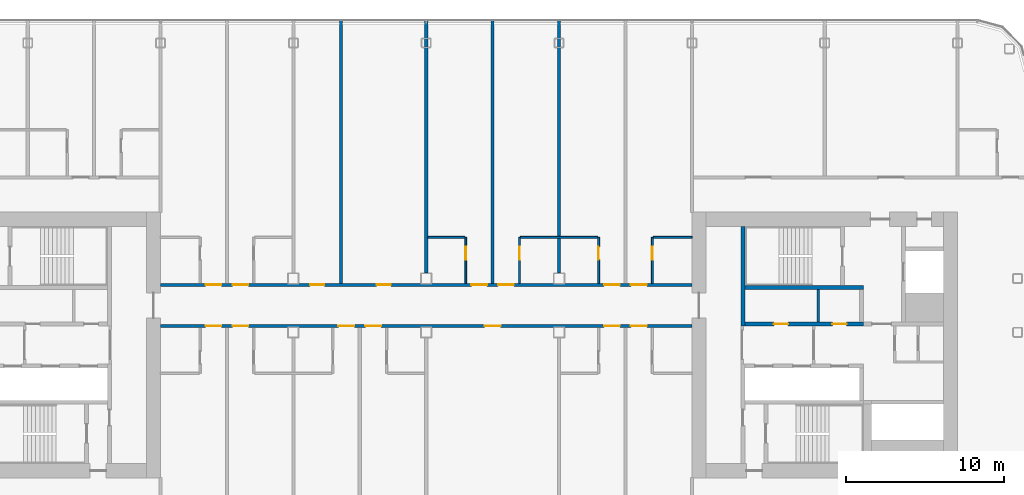
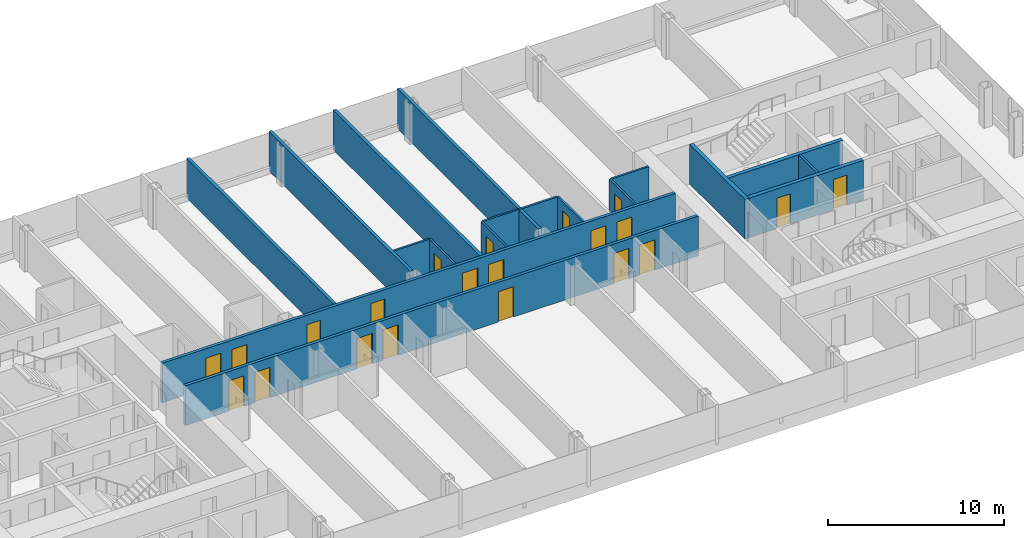
# One storey, part 16 of 26: 21 doors, 17 walls, 21 openings.
"""IFC4 building model written with IfcOpenShell, lengths in metres."""

from ifc_helpers import new_model, si_unit, direction, frame, frame_2d, origin, place, context, subcontext, project, spatial, rectangle, extrude, material, layer, layer_set, type_object, element, fill, save


model = new_model("IFC4")

# Units and contexts
model_context = context("Model", 3, precision=1e-05, world=origin(), true_north=direction((0.0, 1.0)))
body_context = subcontext(model_context, "Body", "Model", "MODEL_VIEW")
ifc_project = project(units=[si_unit("LENGTHUNIT", "METRE"), si_unit("AREAUNIT", "SQUARE_METRE"), si_unit("VOLUMEUNIT", "CUBIC_METRE"), si_unit("PLANEANGLEUNIT", "RADIAN"), si_unit("MASSUNIT", "GRAM", prefix="KILO")], contexts=[model_context])

# Site, building, storey
site_placement = place(None, origin())
site = spatial("IfcSite", under=ifc_project, at=site_placement, CompositionType="ELEMENT")
building_placement = place(site_placement, origin())
building = spatial("IfcBuilding", under=site, at=building_placement, Name="Hakoniwa Tower and Hamabe Station Hall", CompositionType="ELEMENT")
storey_placement = place(building_placement, frame((0.0, 0.0, 221.800048828125)))
storey = spatial("IfcBuildingStorey", under=building, at=storey_placement, Name="L63", CompositionType="ELEMENT", Elevation=221.800048828125)

# Walls
ifc_material_1 = material(Name="Gypsum board partition", Category="gypsum")
ifc_layer_1 = layer(ifc_material_1, 0.125)
ifc_layer_set_1 = layer_set([ifc_layer_1], Name="Bathroom Partition 125")
wall_type_1 = type_object("IfcWallType", Name="Bathroom Partition 125", PredefinedType="PARTITIONING", material=ifc_layer_set_1)
wall_1_placement = place(storey_placement, frame((0.10009765625, 6.800048828125, 0.0), z_axis=(0.0, 0.0, 1.0), x_axis=(1.0, 0.0, 0.0)))
element("IfcWall", 1, at=wall_1_placement, inside=storey, type_object=wall_type_1, Name="GW-L63-012", PredefinedType="PARTITIONING", context=body_context, shape_type="SweptSolid", body=[
    extrude(rectangle(XDim=2.33740234375, YDim=0.125, at=frame_2d((1.168701171875, 0.0))), origin(), (0.0, 0.0, 1.0), 2.75),
])
wall_2_placement = place(storey_placement, frame((5.96240234375, 6.800048828125, 0.0), z_axis=(0.0, 0.0, 1.0), x_axis=(1.0, 0.0, 0.0)))
element("IfcWall", 2, at=wall_2_placement, inside=storey, type_object=wall_type_1, Name="GW-L63-013", PredefinedType="PARTITIONING", context=body_context, shape_type="SweptSolid", body=[
    extrude(rectangle(XDim=4.875, YDim=0.125, at=frame_2d((2.4375, 0.0))), origin(), (0.0, 0.0, 1.0), 2.75),
])
wall_3_placement = place(storey_placement, frame((14.362548828125, 6.800048828125, 0.0), z_axis=(0.0, 0.0, 1.0), x_axis=(1.0, 0.0, 0.0)))
element("IfcWall", 3, at=wall_3_placement, inside=storey, type_object=wall_type_1, Name="GW-L63-014", PredefinedType="PARTITIONING", context=body_context, shape_type="SweptSolid", body=[
    extrude(rectangle(XDim=2.447509765625, YDim=0.125, at=frame_2d((1.2236328125, 0.0))), origin(), (0.0, 0.0, 1.0), 2.75),
])

# Wall, opening, door
wall_4_placement = place(storey_placement, frame((2.5, 3.89990234375, 0.0), z_axis=(0.0, 0.0, 1.0), x_axis=(0.0, 1.0, 0.0)))
wall_4 = element("IfcWall", 4, at=wall_4_placement, inside=storey, type_object=wall_type_1, Name="GW-L63-049", PredefinedType="PARTITIONING", context=body_context, shape_type="SweptSolid", body=[
    extrude(rectangle(XDim=2.900146484375, YDim=0.125, at=frame_2d((1.4501953125, 0.0))), origin(), (0.0, 0.0, 1.0), 2.75),
])
opening_1_placement = place(wall_4_placement, frame((1.5, 0.0, 0.0)))
opening_1 = element("IfcOpeningElement", 5, at=opening_1_placement, cuts=wall_4, Name="Opening GD-G4B2-44", PredefinedType="OPENING", context=body_context, shape_type="SweptSolid", body=[
    extrude(rectangle(XDim=0.800048828125, YDim=2.10009765625, at=frame_2d((0.39990234375, 1.050048828125))), frame((0.0, 0.072509765625, 0.0), z_axis=(0.0, -1.0, 0.0), x_axis=(1.0, 0.0, 0.0)), (0.0, 0.0, 1.0), 0.14501953125),
])
ifc_material_2 = material(Name="Timber door leaf", Category="wood")
door_type_1 = type_object("IfcDoorType", Name="Bathroom Door 800", OperationType="SINGLE_SWING_LEFT", PredefinedType="DOOR", material=ifc_material_2)
door_1_placement = place(opening_1_placement, origin())
door_1 = element("IfcDoor", 6, at=door_1_placement, inside=storey, type_object=door_type_1, Name="Door GD-G4B2-44", OperationType="SINGLE_SWING_LEFT", OverallHeight=2.10009765625, OverallWidth=0.800048828125, PredefinedType="DOOR", context=body_context, shape_type="SweptSolid", body=[
    extrude(rectangle(XDim=0.800048828125, YDim=2.10009765625, at=frame_2d((0.39990234375, 1.050048828125))), frame((0.0, 0.02490234375, 0.0), z_axis=(0.0, -1.0, 0.0), x_axis=(1.0, 0.0, 0.0)), (0.0, 0.0, 1.0), 0.050048828125),
])
fill(opening_1, door_1)

wall_5_placement = place(storey_placement, frame((5.89990234375, 3.89990234375, 0.0), z_axis=(0.0, 0.0, 1.0), x_axis=(0.0, 1.0, 0.0)))
wall_5 = element("IfcWall", 7, at=wall_5_placement, inside=storey, type_object=wall_type_1, Name="GW-L63-051", PredefinedType="PARTITIONING", context=body_context, shape_type="SweptSolid", body=[
    extrude(rectangle(XDim=2.900146484375, YDim=0.125, at=frame_2d((1.4501953125, 0.0))), origin(), (0.0, 0.0, 1.0), 2.75),
])
opening_2_placement = place(wall_5_placement, frame((1.5, 0.0, 0.0)))
opening_2 = element("IfcOpeningElement", 8, at=opening_2_placement, cuts=wall_5, Name="Opening GD-G4B2-45", PredefinedType="OPENING", context=body_context, shape_type="SweptSolid", body=[
    extrude(rectangle(XDim=0.800048828125, YDim=2.10009765625, at=frame_2d((0.39990234375, 1.050048828125))), frame((0.0, 0.072509765625, 0.0), z_axis=(0.0, -1.0, 0.0), x_axis=(1.0, 0.0, 0.0)), (0.0, 0.0, 1.0), 0.14501953125),
])
door_2_placement = place(opening_2_placement, origin())
door_2 = element("IfcDoor", 9, at=door_2_placement, inside=storey, type_object=door_type_1, Name="Door GD-G4B2-45", OperationType="SINGLE_SWING_RIGHT", OverallHeight=2.10009765625, OverallWidth=0.800048828125, PredefinedType="DOOR", context=body_context, shape_type="SweptSolid", body=[
    extrude(rectangle(XDim=0.800048828125, YDim=2.10009765625, at=frame_2d((0.39990234375, 1.050048828125))), frame((0.0, 0.02490234375, 0.0), z_axis=(0.0, -1.0, 0.0), x_axis=(1.0, 0.0, 0.0)), (0.0, 0.0, 1.0), 0.050048828125),
])
fill(opening_2, door_2)

wall_6_placement = place(storey_placement, frame((10.89990234375, 3.89990234375, 0.0), z_axis=(0.0, 0.0, 1.0), x_axis=(0.0, 1.0, 0.0)))
wall_6 = element("IfcWall", 10, at=wall_6_placement, inside=storey, type_object=wall_type_1, Name="GW-L63-055", PredefinedType="PARTITIONING", context=body_context, shape_type="SweptSolid", body=[
    extrude(rectangle(XDim=2.900146484375, YDim=0.125, at=frame_2d((1.4501953125, 0.0))), origin(), (0.0, 0.0, 1.0), 2.75),
])
opening_3_placement = place(wall_6_placement, frame((1.5, 0.0, 0.0)))
opening_3 = element("IfcOpeningElement", 11, at=opening_3_placement, cuts=wall_6, Name="Opening GD-G4B2-47", PredefinedType="OPENING", context=body_context, shape_type="SweptSolid", body=[
    extrude(rectangle(XDim=0.800048828125, YDim=2.10009765625, at=frame_2d((0.39990234375, 1.050048828125))), frame((0.0, 0.072509765625, 0.0), z_axis=(0.0, -1.0, 0.0), x_axis=(1.0, 0.0, 0.0)), (0.0, 0.0, 1.0), 0.14501953125),
])
door_3_placement = place(opening_3_placement, origin())
door_3 = element("IfcDoor", 12, at=door_3_placement, inside=storey, type_object=door_type_1, Name="Door GD-G4B2-47", OperationType="SINGLE_SWING_LEFT", OverallHeight=2.10009765625, OverallWidth=0.800048828125, PredefinedType="DOOR", context=body_context, shape_type="SweptSolid", body=[
    extrude(rectangle(XDim=0.800048828125, YDim=2.10009765625, at=frame_2d((0.39990234375, 1.050048828125))), frame((0.0, 0.02490234375, 0.0), z_axis=(0.0, -1.0, 0.0), x_axis=(1.0, 0.0, 0.0)), (0.0, 0.0, 1.0), 0.050048828125),
])
fill(opening_3, door_3)

wall_7_placement = place(storey_placement, frame((14.300048828125, 3.89990234375, 0.0), z_axis=(0.0, 0.0, 1.0), x_axis=(0.0, 1.0, 0.0)))
wall_7 = element("IfcWall", 13, at=wall_7_placement, inside=storey, type_object=wall_type_1, Name="GW-L63-059", PredefinedType="PARTITIONING", context=body_context, shape_type="SweptSolid", body=[
    extrude(rectangle(XDim=2.900146484375, YDim=0.125, at=frame_2d((1.4501953125, 0.0))), origin(), (0.0, 0.0, 1.0), 2.75),
])
opening_4_placement = place(wall_7_placement, frame((1.5, 0.0, 0.0)))
opening_4 = element("IfcOpeningElement", 14, at=opening_4_placement, cuts=wall_7, Name="Opening GD-G4B2-49", PredefinedType="OPENING", context=body_context, shape_type="SweptSolid", body=[
    extrude(rectangle(XDim=0.800048828125, YDim=2.10009765625, at=frame_2d((0.39990234375, 1.050048828125))), frame((0.0, 0.072509765625, 0.0), z_axis=(0.0, -1.0, 0.0), x_axis=(1.0, 0.0, 0.0)), (0.0, 0.0, 1.0), 0.14501953125),
])
door_4_placement = place(opening_4_placement, origin())
door_4 = element("IfcDoor", 15, at=door_4_placement, inside=storey, type_object=door_type_1, Name="Door GD-G4B2-49", OperationType="SINGLE_SWING_RIGHT", OverallHeight=2.10009765625, OverallWidth=0.800048828125, PredefinedType="DOOR", context=body_context, shape_type="SweptSolid", body=[
    extrude(rectangle(XDim=0.800048828125, YDim=2.10009765625, at=frame_2d((0.39990234375, 1.050048828125))), frame((0.0, 0.02490234375, 0.0), z_axis=(0.0, -1.0, 0.0), x_axis=(1.0, 0.0, 0.0)), (0.0, 0.0, 1.0), 0.050048828125),
])
fill(opening_4, door_4)

# Walls
ifc_material_3 = material(Name="Gypsum board partition")
ifc_layer_2 = layer(ifc_material_3, 0.14990234375)
ifc_layer_set_2 = layer_set([ifc_layer_2], Name="CORE PARTITION 150 EI 60")
wall_type_2 = type_object("IfcWallType", Name="CORE PARTITION 150 EI 60", PredefinedType="PARTITIONING", material=ifc_layer_set_2)
wall_8_placement = place(storey_placement, frame((24.800048828125, 1.449951171875, 0.0), z_axis=(0.0, 0.0, 1.0), x_axis=(0.0, 1.0, 0.0)))
element("IfcWall", 16, at=wall_8_placement, inside=storey, type_object=wall_type_2, Name="Core partition PFLR0 east", PredefinedType="PARTITIONING", context=body_context, shape_type="SweptSolid", body=[
    extrude(rectangle(XDim=2.050048828125, YDim=0.14990234375, at=frame_2d((1.02490234375, 0.0))), origin(), (0.0, 0.0, 1.0), 2.75),
])
ifc_material_4 = material(Name="Concrete C60", Category="concrete")
ifc_layer_3 = layer(ifc_material_4, 0.25)
ifc_layer_set_3 = layer_set([ifc_layer_3], Name="CORE WEB WALL 250 C60")
wall_type_3 = type_object("IfcWallType", Name="CORE WEB WALL 250 C60", PredefinedType="SHEAR", material=ifc_layer_set_3)
wall_9_placement = place(storey_placement, frame((20.02490234375, 1.199951171875, 0.0), z_axis=(0.0, 0.0, 1.0), x_axis=(0.0, 1.0, 0.0)))
element("IfcWall", 17, at=wall_9_placement, inside=storey, type_object=wall_type_3, Name="Core wall W1N east", PredefinedType="SHEAR", context=body_context, shape_type="SweptSolid", body=[
    extrude(rectangle(XDim=6.300048828125, YDim=0.25, at=frame_2d((3.14990234375, 0.0))), origin(), (0.0, 0.0, 1.0), 2.75),
])

# Wall, openings, doors
wall_10_placement = place(storey_placement, frame((20.14990234375, 1.324951171875, 0.0), z_axis=(0.0, 0.0, 1.0), x_axis=(1.0, 0.0, 0.0)))
wall_10 = element("IfcWall", 18, at=wall_10_placement, inside=storey, type_object=wall_type_3, Name="Core wall NF east", PredefinedType="SHEAR", context=body_context, shape_type="SweptSolid", body=[
    extrude(rectangle(XDim=7.5, YDim=0.25, at=frame_2d((3.75, 0.0))), origin(), (0.0, 0.0, 1.0), 2.75),
])
opening_5_placement = place(wall_10_placement, frame((1.83740234375, 0.0, 0.0)))
opening_5 = element("IfcOpeningElement", 19, at=opening_5_placement, cuts=wall_10, Name="Opening CD-E-FRLR0-9", PredefinedType="OPENING", context=body_context, shape_type="SweptSolid", body=[
    extrude(rectangle(XDim=0.89990234375, YDim=2.10009765625, at=frame_2d((0.449951171875, 1.050048828125))), frame((0.0, 0.135009765625, 0.0), z_axis=(0.0, -1.0, 0.0), x_axis=(1.0, 0.0, 0.0)), (0.0, 0.0, 1.0), 0.27001953125),
])
opening_6_placement = place(wall_10_placement, frame((5.53759765625, 0.0, 0.0)))
opening_6 = element("IfcOpeningElement", 20, at=opening_6_placement, cuts=wall_10, Name="Opening CD-E-FRLR1-9", PredefinedType="OPENING", context=body_context, shape_type="SweptSolid", body=[
    extrude(rectangle(XDim=0.89990234375, YDim=2.10009765625, at=frame_2d((0.449951171875, 1.050048828125))), frame((0.0, 0.135009765625, 0.0), z_axis=(0.0, -1.0, 0.0), x_axis=(1.0, 0.0, 0.0)), (0.0, 0.0, 1.0), 0.27001953125),
])
ifc_material_5 = material(Name="Steel fire door", Category="steel")
door_type_2 = type_object("IfcDoorType", Name="CORE DOOR 900 FD30", OperationType="NOTDEFINED", PredefinedType="DOOR", material=ifc_material_5)
door_5_placement = place(opening_5_placement, origin())
door_5 = element("IfcDoor", 21, at=door_5_placement, inside=storey, type_object=door_type_2, Name="Store room door", OperationType="SINGLE_SWING_LEFT", OverallHeight=2.10009765625, OverallWidth=0.89990234375, PredefinedType="DOOR", context=body_context, shape_type="SweptSolid", body=[
    extrude(rectangle(XDim=0.89990234375, YDim=2.10009765625, at=frame_2d((0.449951171875, 1.050048828125))), frame((0.0, 0.02490234375, 0.0), z_axis=(0.0, -1.0, 0.0), x_axis=(1.0, 0.0, 0.0)), (0.0, 0.0, 1.0), 0.050048828125),
])
fill(opening_5, door_5)
door_6_placement = place(opening_6_placement, origin())
door_6 = element("IfcDoor", 22, at=door_6_placement, inside=storey, type_object=door_type_2, Name="Store room door", OperationType="SINGLE_SWING_RIGHT", OverallHeight=2.10009765625, OverallWidth=0.89990234375, PredefinedType="DOOR", context=body_context, shape_type="SweptSolid", body=[
    extrude(rectangle(XDim=0.89990234375, YDim=2.10009765625, at=frame_2d((0.449951171875, 1.050048828125))), frame((0.0, 0.02490234375, 0.0), z_axis=(0.0, -1.0, 0.0), x_axis=(1.0, 0.0, 0.0)), (0.0, 0.0, 1.0), 0.050048828125),
])
fill(opening_6, door_6)

# Wall
wall_11_placement = place(storey_placement, frame((20.14990234375, 3.625, 0.0), z_axis=(0.0, 0.0, 1.0), x_axis=(1.0, 0.0, 0.0)))
element("IfcWall", 23, at=wall_11_placement, inside=storey, type_object=wall_type_3, Name="Core wall NR east", PredefinedType="SHEAR", context=body_context, shape_type="SweptSolid", body=[
    extrude(rectangle(XDim=7.5, YDim=0.25, at=frame_2d((3.75, 0.0))), origin(), (0.0, 0.0, 1.0), 2.75),
])

# Wall, openings, doors
ifc_material_6 = material(Name="Fire-rated gypsum board partition", Category="gypsum")
ifc_layer_4 = layer(ifc_material_6, 0.199951171875)
ifc_layer_set_4 = layer_set([ifc_layer_4], Name="Corridor Wall 200")
wall_type_4 = type_object("IfcWallType", Name="Corridor Wall 200", PredefinedType="PARTITIONING", material=ifc_layer_set_4)
wall_12_placement = place(storey_placement, frame((-16.800048828125, 1.199951171875, 0.0), z_axis=(0.0, 0.0, 1.0), x_axis=(1.0, 0.0, 0.0)))
wall_12 = element("IfcWall", 24, at=wall_12_placement, inside=storey, type_object=wall_type_4, Name="GW-L63-008", PredefinedType="PARTITIONING", context=body_context, shape_type="SweptSolid", body=[
    extrude(rectangle(XDim=33.60009765625, YDim=0.199951171875, at=frame_2d((16.800048828125, 0.0))), origin(), (0.0, 0.0, 1.0), 2.75),
])
opening_7_placement = place(wall_12_placement, frame((2.85009765625, 0.0, 0.0)))
opening_7 = element("IfcOpeningElement", 25, at=opening_7_placement, cuts=wall_12, Name="Opening GD-G4B2-11", PredefinedType="OPENING", context=body_context, shape_type="SweptSolid", body=[
    extrude(rectangle(XDim=1.0, YDim=2.10009765625, at=frame_2d((0.5, 1.050048828125))), frame((0.0, 0.10986328125, 0.0), z_axis=(0.0, -1.0, 0.0), x_axis=(1.0, 0.0, 0.0)), (0.0, 0.0, 1.0), 0.219970703125),
])
opening_8_placement = place(wall_12_placement, frame((4.550048828125, 0.0, 0.0)))
opening_8 = element("IfcOpeningElement", 26, at=opening_8_placement, cuts=wall_12, Name="Opening GD-G4B2-12", PredefinedType="OPENING", context=body_context, shape_type="SweptSolid", body=[
    extrude(rectangle(XDim=1.0, YDim=2.10009765625, at=frame_2d((0.5, 1.050048828125))), frame((0.0, 0.10986328125, 0.0), z_axis=(0.0, -1.0, 0.0), x_axis=(1.0, 0.0, 0.0)), (0.0, 0.0, 1.0), 0.219970703125),
])
opening_9_placement = place(wall_12_placement, frame((11.25, 0.0, 0.0)))
opening_9 = element("IfcOpeningElement", 27, at=opening_9_placement, cuts=wall_12, Name="Opening GD-G4B2-13", PredefinedType="OPENING", context=body_context, shape_type="SweptSolid", body=[
    extrude(rectangle(XDim=1.0, YDim=2.10009765625, at=frame_2d((0.5, 1.050048828125))), frame((0.0, 0.10986328125, 0.0), z_axis=(0.0, -1.0, 0.0), x_axis=(1.0, 0.0, 0.0)), (0.0, 0.0, 1.0), 0.219970703125),
])
opening_10_placement = place(wall_12_placement, frame((12.949951171875, 0.0, 0.0)))
opening_10 = element("IfcOpeningElement", 28, at=opening_10_placement, cuts=wall_12, Name="Opening GD-G4B2-14", PredefinedType="OPENING", context=body_context, shape_type="SweptSolid", body=[
    extrude(rectangle(XDim=1.0, YDim=2.10009765625, at=frame_2d((0.5, 1.050048828125))), frame((0.0, 0.10986328125, 0.0), z_axis=(0.0, -1.0, 0.0), x_axis=(1.0, 0.0, 0.0)), (0.0, 0.0, 1.0), 0.219970703125),
])
opening_11_placement = place(wall_12_placement, frame((20.5, 0.0, 0.0)))
opening_11 = element("IfcOpeningElement", 29, at=opening_11_placement, cuts=wall_12, Name="Opening GD-G4B2-15", PredefinedType="OPENING", context=body_context, shape_type="SweptSolid", body=[
    extrude(rectangle(XDim=1.0, YDim=2.10009765625, at=frame_2d((0.5, 1.050048828125))), frame((0.0, 0.10986328125, 0.0), z_axis=(0.0, -1.0, 0.0), x_axis=(1.0, 0.0, 0.0)), (0.0, 0.0, 1.0), 0.219970703125),
])
opening_12_placement = place(wall_12_placement, frame((28.050048828125, 0.0, 0.0)))
opening_12 = element("IfcOpeningElement", 30, at=opening_12_placement, cuts=wall_12, Name="Opening GD-G4B2-16", PredefinedType="OPENING", context=body_context, shape_type="SweptSolid", body=[
    extrude(rectangle(XDim=1.0, YDim=2.10009765625, at=frame_2d((0.5, 1.050048828125))), frame((0.0, 0.10986328125, 0.0), z_axis=(0.0, -1.0, 0.0), x_axis=(1.0, 0.0, 0.0)), (0.0, 0.0, 1.0), 0.219970703125),
])
opening_13_placement = place(wall_12_placement, frame((29.75, 0.0, 0.0)))
opening_13 = element("IfcOpeningElement", 31, at=opening_13_placement, cuts=wall_12, Name="Opening GD-G4B2-17", PredefinedType="OPENING", context=body_context, shape_type="SweptSolid", body=[
    extrude(rectangle(XDim=1.0, YDim=2.10009765625, at=frame_2d((0.5, 1.050048828125))), frame((0.0, 0.10986328125, 0.0), z_axis=(0.0, -1.0, 0.0), x_axis=(1.0, 0.0, 0.0)), (0.0, 0.0, 1.0), 0.219970703125),
])
ifc_material_7 = material(Name="Timber door leaf", Category="wood")
door_type_3 = type_object("IfcDoorType", Name="Guest Entrance Door 1000", OperationType="SINGLE_SWING_LEFT", PredefinedType="DOOR", material=ifc_material_7)
door_7_placement = place(opening_7_placement, origin())
door_7 = element("IfcDoor", 32, at=door_7_placement, inside=storey, type_object=door_type_3, Name="Door GD-G4B2-11", OperationType="SINGLE_SWING_LEFT", OverallHeight=2.10009765625, OverallWidth=1.0, PredefinedType="DOOR", context=body_context, shape_type="SweptSolid", body=[
    extrude(rectangle(XDim=1.0, YDim=2.10009765625, at=frame_2d((0.5, 1.050048828125))), frame((0.0, 0.02490234375, 0.0), z_axis=(0.0, -1.0, 0.0), x_axis=(1.0, 0.0, 0.0)), (0.0, 0.0, 1.0), 0.050048828125),
])
fill(opening_7, door_7)
door_8_placement = place(opening_8_placement, origin())
door_8 = element("IfcDoor", 33, at=door_8_placement, inside=storey, type_object=door_type_3, Name="Door GD-G4B2-12", OperationType="SINGLE_SWING_RIGHT", OverallHeight=2.10009765625, OverallWidth=1.0, PredefinedType="DOOR", context=body_context, shape_type="SweptSolid", body=[
    extrude(rectangle(XDim=1.0, YDim=2.10009765625, at=frame_2d((0.5, 1.050048828125))), frame((0.0, 0.02490234375, 0.0), z_axis=(0.0, -1.0, 0.0), x_axis=(1.0, 0.0, 0.0)), (0.0, 0.0, 1.0), 0.050048828125),
])
fill(opening_8, door_8)
door_9_placement = place(opening_9_placement, origin())
door_9 = element("IfcDoor", 34, at=door_9_placement, inside=storey, type_object=door_type_3, Name="Door GD-G4B2-13", OperationType="SINGLE_SWING_LEFT", OverallHeight=2.10009765625, OverallWidth=1.0, PredefinedType="DOOR", context=body_context, shape_type="SweptSolid", body=[
    extrude(rectangle(XDim=1.0, YDim=2.10009765625, at=frame_2d((0.5, 1.050048828125))), frame((0.0, 0.02490234375, 0.0), z_axis=(0.0, -1.0, 0.0), x_axis=(1.0, 0.0, 0.0)), (0.0, 0.0, 1.0), 0.050048828125),
])
fill(opening_9, door_9)
door_10_placement = place(opening_10_placement, origin())
door_10 = element("IfcDoor", 35, at=door_10_placement, inside=storey, type_object=door_type_3, Name="Door GD-G4B2-14", OperationType="SINGLE_SWING_RIGHT", OverallHeight=2.10009765625, OverallWidth=1.0, PredefinedType="DOOR", context=body_context, shape_type="SweptSolid", body=[
    extrude(rectangle(XDim=1.0, YDim=2.10009765625, at=frame_2d((0.5, 1.050048828125))), frame((0.0, 0.02490234375, 0.0), z_axis=(0.0, -1.0, 0.0), x_axis=(1.0, 0.0, 0.0)), (0.0, 0.0, 1.0), 0.050048828125),
])
fill(opening_10, door_10)
door_11_placement = place(opening_11_placement, origin())
door_11 = element("IfcDoor", 36, at=door_11_placement, inside=storey, type_object=door_type_3, Name="Door GD-G4B2-15", OperationType="SINGLE_SWING_LEFT", OverallHeight=2.10009765625, OverallWidth=1.0, PredefinedType="DOOR", context=body_context, shape_type="SweptSolid", body=[
    extrude(rectangle(XDim=1.0, YDim=2.10009765625, at=frame_2d((0.5, 1.050048828125))), frame((0.0, 0.02490234375, 0.0), z_axis=(0.0, -1.0, 0.0), x_axis=(1.0, 0.0, 0.0)), (0.0, 0.0, 1.0), 0.050048828125),
])
fill(opening_11, door_11)
door_12_placement = place(opening_12_placement, origin())
door_12 = element("IfcDoor", 37, at=door_12_placement, inside=storey, type_object=door_type_3, Name="Door GD-G4B2-16", OperationType="SINGLE_SWING_RIGHT", OverallHeight=2.10009765625, OverallWidth=1.0, PredefinedType="DOOR", context=body_context, shape_type="SweptSolid", body=[
    extrude(rectangle(XDim=1.0, YDim=2.10009765625, at=frame_2d((0.5, 1.050048828125))), frame((0.0, 0.02490234375, 0.0), z_axis=(0.0, -1.0, 0.0), x_axis=(1.0, 0.0, 0.0)), (0.0, 0.0, 1.0), 0.050048828125),
])
fill(opening_12, door_12)
door_13_placement = place(opening_13_placement, origin())
door_13 = element("IfcDoor", 38, at=door_13_placement, inside=storey, type_object=door_type_3, Name="Door GD-G4B2-17", OperationType="SINGLE_SWING_LEFT", OverallHeight=2.10009765625, OverallWidth=1.0, PredefinedType="DOOR", context=body_context, shape_type="SweptSolid", body=[
    extrude(rectangle(XDim=1.0, YDim=2.10009765625, at=frame_2d((0.5, 1.050048828125))), frame((0.0, 0.02490234375, 0.0), z_axis=(0.0, -1.0, 0.0), x_axis=(1.0, 0.0, 0.0)), (0.0, 0.0, 1.0), 0.050048828125),
])
fill(opening_13, door_13)

wall_13_placement = place(storey_placement, frame((-16.800048828125, 3.800048828125, 0.0), z_axis=(0.0, 0.0, 1.0), x_axis=(1.0, 0.0, 0.0)))
wall_13 = element("IfcWall", 39, at=wall_13_placement, inside=storey, type_object=wall_type_4, Name="GW-L63-009", PredefinedType="PARTITIONING", context=body_context, shape_type="SweptSolid", body=[
    extrude(rectangle(XDim=33.60009765625, YDim=0.199951171875, at=frame_2d((16.800048828125, 0.0))), origin(), (0.0, 0.0, 1.0), 2.75),
])
opening_14_placement = place(wall_13_placement, frame((2.85009765625, 0.0, 0.0)))
opening_14 = element("IfcOpeningElement", 40, at=opening_14_placement, cuts=wall_13, Name="Opening GD-G4B2-18", PredefinedType="OPENING", context=body_context, shape_type="SweptSolid", body=[
    extrude(rectangle(XDim=1.0, YDim=2.10009765625, at=frame_2d((0.5, 1.050048828125))), frame((0.0, 0.10986328125, 0.0), z_axis=(0.0, -1.0, 0.0), x_axis=(1.0, 0.0, 0.0)), (0.0, 0.0, 1.0), 0.219970703125),
])
opening_15_placement = place(wall_13_placement, frame((4.550048828125, 0.0, 0.0)))
opening_15 = element("IfcOpeningElement", 41, at=opening_15_placement, cuts=wall_13, Name="Opening GD-G4B2-19", PredefinedType="OPENING", context=body_context, shape_type="SweptSolid", body=[
    extrude(rectangle(XDim=1.0, YDim=2.10009765625, at=frame_2d((0.5, 1.050048828125))), frame((0.0, 0.10986328125, 0.0), z_axis=(0.0, -1.0, 0.0), x_axis=(1.0, 0.0, 0.0)), (0.0, 0.0, 1.0), 0.219970703125),
])
opening_16_placement = place(wall_13_placement, frame((9.4599609375, 0.0, 0.0)))
opening_16 = element("IfcOpeningElement", 42, at=opening_16_placement, cuts=wall_13, Name="Opening GD-G4B2-20", PredefinedType="OPENING", context=body_context, shape_type="SweptSolid", body=[
    extrude(rectangle(XDim=0.89990234375, YDim=2.10009765625, at=frame_2d((0.449951171875, 1.050048828125))), frame((0.0, 0.10986328125, 0.0), z_axis=(0.0, -1.0, 0.0), x_axis=(1.0, 0.0, 0.0)), (0.0, 0.0, 1.0), 0.219970703125),
])
opening_17_placement = place(wall_13_placement, frame((13.659912109375, 0.0, 0.0)))
opening_17 = element("IfcOpeningElement", 43, at=opening_17_placement, cuts=wall_13, Name="Opening GD-G4B2-21", PredefinedType="OPENING", context=body_context, shape_type="SweptSolid", body=[
    extrude(rectangle(XDim=0.89990234375, YDim=2.10009765625, at=frame_2d((0.449951171875, 1.050048828125))), frame((0.0, 0.10986328125, 0.0), z_axis=(0.0, -1.0, 0.0), x_axis=(1.0, 0.0, 0.0)), (0.0, 0.0, 1.0), 0.219970703125),
])
opening_18_placement = place(wall_13_placement, frame((19.64990234375, 0.0, 0.0)))
opening_18 = element("IfcOpeningElement", 44, at=opening_18_placement, cuts=wall_13, Name="Opening GD-G4B2-22", PredefinedType="OPENING", context=body_context, shape_type="SweptSolid", body=[
    extrude(rectangle(XDim=1.0, YDim=2.10009765625, at=frame_2d((0.5, 1.050048828125))), frame((0.0, 0.10986328125, 0.0), z_axis=(0.0, -1.0, 0.0), x_axis=(1.0, 0.0, 0.0)), (0.0, 0.0, 1.0), 0.219970703125),
])
opening_19_placement = place(wall_13_placement, frame((21.35009765625, 0.0, 0.0)))
opening_19 = element("IfcOpeningElement", 45, at=opening_19_placement, cuts=wall_13, Name="Opening GD-G4B2-23", PredefinedType="OPENING", context=body_context, shape_type="SweptSolid", body=[
    extrude(rectangle(XDim=1.0, YDim=2.10009765625, at=frame_2d((0.5, 1.050048828125))), frame((0.0, 0.10986328125, 0.0), z_axis=(0.0, -1.0, 0.0), x_axis=(1.0, 0.0, 0.0)), (0.0, 0.0, 1.0), 0.219970703125),
])
opening_20_placement = place(wall_13_placement, frame((28.050048828125, 0.0, 0.0)))
opening_20 = element("IfcOpeningElement", 46, at=opening_20_placement, cuts=wall_13, Name="Opening GD-G4B2-24", PredefinedType="OPENING", context=body_context, shape_type="SweptSolid", body=[
    extrude(rectangle(XDim=1.0, YDim=2.10009765625, at=frame_2d((0.5, 1.050048828125))), frame((0.0, 0.10986328125, 0.0), z_axis=(0.0, -1.0, 0.0), x_axis=(1.0, 0.0, 0.0)), (0.0, 0.0, 1.0), 0.219970703125),
])
opening_21_placement = place(wall_13_placement, frame((29.75, 0.0, 0.0)))
opening_21 = element("IfcOpeningElement", 47, at=opening_21_placement, cuts=wall_13, Name="Opening GD-G4B2-25", PredefinedType="OPENING", context=body_context, shape_type="SweptSolid", body=[
    extrude(rectangle(XDim=1.0, YDim=2.10009765625, at=frame_2d((0.5, 1.050048828125))), frame((0.0, 0.10986328125, 0.0), z_axis=(0.0, -1.0, 0.0), x_axis=(1.0, 0.0, 0.0)), (0.0, 0.0, 1.0), 0.219970703125),
])
door_14_placement = place(opening_14_placement, origin())
door_14 = element("IfcDoor", 48, at=door_14_placement, inside=storey, type_object=door_type_3, Name="Door GD-G4B2-18", OperationType="SINGLE_SWING_LEFT", OverallHeight=2.10009765625, OverallWidth=1.0, PredefinedType="DOOR", context=body_context, shape_type="SweptSolid", body=[
    extrude(rectangle(XDim=1.0, YDim=2.10009765625, at=frame_2d((0.5, 1.050048828125))), frame((0.0, 0.02490234375, 0.0), z_axis=(0.0, -1.0, 0.0), x_axis=(1.0, 0.0, 0.0)), (0.0, 0.0, 1.0), 0.050048828125),
])
fill(opening_14, door_14)
door_15_placement = place(opening_15_placement, origin())
door_15 = element("IfcDoor", 49, at=door_15_placement, inside=storey, type_object=door_type_3, Name="Door GD-G4B2-19", OperationType="SINGLE_SWING_RIGHT", OverallHeight=2.10009765625, OverallWidth=1.0, PredefinedType="DOOR", context=body_context, shape_type="SweptSolid", body=[
    extrude(rectangle(XDim=1.0, YDim=2.10009765625, at=frame_2d((0.5, 1.050048828125))), frame((0.0, 0.02490234375, 0.0), z_axis=(0.0, -1.0, 0.0), x_axis=(1.0, 0.0, 0.0)), (0.0, 0.0, 1.0), 0.050048828125),
])
fill(opening_15, door_15)
door_16_placement = place(opening_18_placement, origin())
door_16 = element("IfcDoor", 50, at=door_16_placement, inside=storey, type_object=door_type_3, Name="Door GD-G4B2-22", OperationType="SINGLE_SWING_RIGHT", OverallHeight=2.10009765625, OverallWidth=1.0, PredefinedType="DOOR", context=body_context, shape_type="SweptSolid", body=[
    extrude(rectangle(XDim=1.0, YDim=2.10009765625, at=frame_2d((0.5, 1.050048828125))), frame((0.0, 0.02490234375, 0.0), z_axis=(0.0, -1.0, 0.0), x_axis=(1.0, 0.0, 0.0)), (0.0, 0.0, 1.0), 0.050048828125),
])
fill(opening_18, door_16)
door_17_placement = place(opening_19_placement, origin())
door_17 = element("IfcDoor", 51, at=door_17_placement, inside=storey, type_object=door_type_3, Name="Door GD-G4B2-23", OperationType="SINGLE_SWING_LEFT", OverallHeight=2.10009765625, OverallWidth=1.0, PredefinedType="DOOR", context=body_context, shape_type="SweptSolid", body=[
    extrude(rectangle(XDim=1.0, YDim=2.10009765625, at=frame_2d((0.5, 1.050048828125))), frame((0.0, 0.02490234375, 0.0), z_axis=(0.0, -1.0, 0.0), x_axis=(1.0, 0.0, 0.0)), (0.0, 0.0, 1.0), 0.050048828125),
])
fill(opening_19, door_17)
door_18_placement = place(opening_20_placement, origin())
door_18 = element("IfcDoor", 52, at=door_18_placement, inside=storey, type_object=door_type_3, Name="Door GD-G4B2-24", OperationType="SINGLE_SWING_RIGHT", OverallHeight=2.10009765625, OverallWidth=1.0, PredefinedType="DOOR", context=body_context, shape_type="SweptSolid", body=[
    extrude(rectangle(XDim=1.0, YDim=2.10009765625, at=frame_2d((0.5, 1.050048828125))), frame((0.0, 0.02490234375, 0.0), z_axis=(0.0, -1.0, 0.0), x_axis=(1.0, 0.0, 0.0)), (0.0, 0.0, 1.0), 0.050048828125),
])
fill(opening_20, door_18)
door_19_placement = place(opening_21_placement, origin())
door_19 = element("IfcDoor", 53, at=door_19_placement, inside=storey, type_object=door_type_3, Name="Door GD-G4B2-25", OperationType="SINGLE_SWING_LEFT", OverallHeight=2.10009765625, OverallWidth=1.0, PredefinedType="DOOR", context=body_context, shape_type="SweptSolid", body=[
    extrude(rectangle(XDim=1.0, YDim=2.10009765625, at=frame_2d((0.5, 1.050048828125))), frame((0.0, 0.02490234375, 0.0), z_axis=(0.0, -1.0, 0.0), x_axis=(1.0, 0.0, 0.0)), (0.0, 0.0, 1.0), 0.050048828125),
])
fill(opening_21, door_19)
ifc_material_8 = material(Name="Timber door leaf", Category="wood")
door_type_4 = type_object("IfcDoorType", Name="Service Door 900", OperationType="SINGLE_SWING_LEFT", PredefinedType="DOOR", material=ifc_material_8)
door_20_placement = place(opening_16_placement, origin())
door_20 = element("IfcDoor", 54, at=door_20_placement, inside=storey, type_object=door_type_4, Name="Door GD-G4B2-20", OperationType="SINGLE_SWING_LEFT", OverallHeight=2.10009765625, OverallWidth=0.89990234375, PredefinedType="DOOR", context=body_context, shape_type="SweptSolid", body=[
    extrude(rectangle(XDim=0.89990234375, YDim=2.10009765625, at=frame_2d((0.449951171875, 1.050048828125))), frame((0.0, 0.02490234375, 0.0), z_axis=(0.0, -1.0, 0.0), x_axis=(1.0, 0.0, 0.0)), (0.0, 0.0, 1.0), 0.050048828125),
])
fill(opening_16, door_20)
door_21_placement = place(opening_17_placement, origin())
door_21 = element("IfcDoor", 55, at=door_21_placement, inside=storey, type_object=door_type_4, Name="Door GD-G4B2-21", OperationType="SINGLE_SWING_LEFT", OverallHeight=2.10009765625, OverallWidth=0.89990234375, PredefinedType="DOOR", context=body_context, shape_type="SweptSolid", body=[
    extrude(rectangle(XDim=0.89990234375, YDim=2.10009765625, at=frame_2d((0.449951171875, 1.050048828125))), frame((0.0, 0.02490234375, 0.0), z_axis=(0.0, -1.0, 0.0), x_axis=(1.0, 0.0, 0.0)), (0.0, 0.0, 1.0), 0.050048828125),
])
fill(opening_17, door_21)

# Walls
ifc_material_9 = material(Name="Fire-rated gypsum board partition", Category="gypsum")
ifc_layer_5 = layer(ifc_material_9, 0.199951171875)
ifc_layer_set_5 = layer_set([ifc_layer_5], Name="Party Wall 200")
wall_type_5 = type_object("IfcWallType", Name="Party Wall 200", PredefinedType="PARTITIONING", material=ifc_layer_set_5)
wall_14_placement = place(storey_placement, frame((-5.3798828125, 3.89990234375, 0.0), z_axis=(0.0, 0.0, 1.0), x_axis=(0.0, 1.0, 0.0)))
element("IfcWall", 56, at=wall_14_placement, inside=storey, type_object=wall_type_5, Name="GW-L63-044", PredefinedType="PARTITIONING", context=body_context, shape_type="SweptSolid", body=[
    extrude(rectangle(XDim=16.650146484375, YDim=0.199951171875, at=frame_2d((8.3251953125, 0.0))), origin(), (0.0, 0.0, 1.0), 2.75),
])
wall_15_placement = place(storey_placement, frame((0.0, 4.5400390625, 0.0), z_axis=(0.0, 0.0, 1.0), x_axis=(0.0, 1.0, 0.0)))
element("IfcWall", 57, at=wall_15_placement, inside=storey, type_object=wall_type_5, Name="GW-L63-048", PredefinedType="PARTITIONING", context=body_context, shape_type="SweptSolid", body=[
    extrude(rectangle(XDim=16.010009765625, YDim=0.199951171875, at=frame_2d((8.0048828125, 0.0))), origin(), (0.0, 0.0, 1.0), 2.75),
])
wall_16_placement = place(storey_placement, frame((4.199951171875, 3.89990234375, 0.0), z_axis=(0.0, 0.0, 1.0), x_axis=(0.0, 1.0, 0.0)))
element("IfcWall", 58, at=wall_16_placement, inside=storey, type_object=wall_type_5, Name="GW-L63-050", PredefinedType="PARTITIONING", context=body_context, shape_type="SweptSolid", body=[
    extrude(rectangle(XDim=16.650146484375, YDim=0.199951171875, at=frame_2d((8.3251953125, 0.0))), origin(), (0.0, 0.0, 1.0), 2.75),
])
wall_17_placement = place(storey_placement, frame((8.39990234375, 4.5400390625, 0.0), z_axis=(0.0, 0.0, 1.0), x_axis=(0.0, 1.0, 0.0)))
element("IfcWall", 59, at=wall_17_placement, inside=storey, type_object=wall_type_5, Name="GW-L63-053", PredefinedType="PARTITIONING", context=body_context, shape_type="SweptSolid", body=[
    extrude(rectangle(XDim=16.010009765625, YDim=0.199951171875, at=frame_2d((8.0048828125, 0.0))), origin(), (0.0, 0.0, 1.0), 2.75),
])

save(model, "model.ifc")
